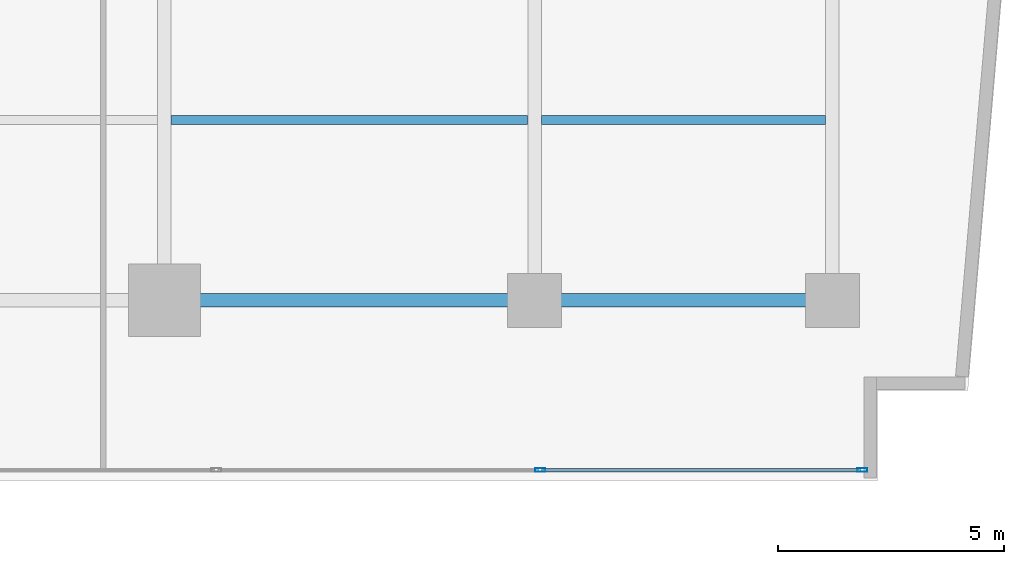
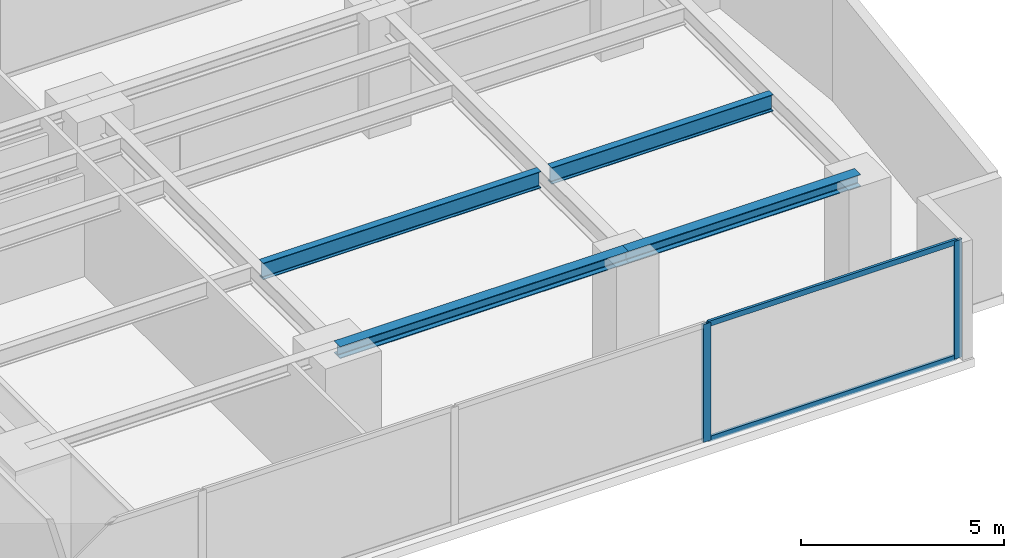
# One storey, part 11 of 27: 4 beams, 4 members, 1 element without a shape of its own.
"""IFC4 building model written with IfcOpenShell, lengths in metres."""

import ifcopenshell
import ifcopenshell.guid

model = None  # the IFC model being written
_history = None  # IfcOwnerHistory: only IFC2X3 demands one
_inside = {}  # id of a spatial element -> (the spatial element, [elements in it])
_under = {}  # id of a project, library or spatial element -> (it, [spatial elements below it])
_declared = {}  # id of a project -> (the project, [libraries it declares])
_typed = {}  # id of a type object -> (the type object, [elements of that type])
_made_of = {}  # id of a material, layer set ... -> (it, [elements and type objects made of it])


def new_model(schema):
    """Start an empty IFC model of exactly this schema.

    Asked for "IFC4X3", IfcOpenShell would pick the latest addendum, in which some entities
    have other attributes; the version numbers below select the first issue.
    IFC2X3 requires an IfcOwnerHistory on every rooted entity: one is made here for all.
    """
    global model, _history
    if schema == "IFC4X3":
        model = ifcopenshell.file(schema_version=(4, 3, 0, 0))
    else:
        model = ifcopenshell.file(schema=schema)
    _inside.clear()
    _under.clear()
    _declared.clear()
    _typed.clear()
    _made_of.clear()
    _history = None
    if model.schema == "IFC2X3":
        org = make("IfcOrganization", Name="unknown")
        user = make(
            "IfcPersonAndOrganization",
            ThePerson=make("IfcPerson", FamilyName="unknown"),
            TheOrganization=org,
        )
        app = make(
            "IfcApplication",
            ApplicationDeveloper=org,
            Version="unknown",
            ApplicationFullName="unknown",
            ApplicationIdentifier="unknown",
        )
        _history = make(
            "IfcOwnerHistory",
            OwningUser=user,
            OwningApplication=app,
            ChangeAction="ADDED",
            CreationDate=0,
        )
    return model


def make(cls, **values):
    """One entity of the class cls with the attributes given. An attribute that is None is left unset."""
    return model.create_entity(
        cls, **{name: value for name, value in values.items() if value is not None}
    )


def rooted(cls, **values):
    """An entity with a GlobalId (a new one), such as an element, a storey or a relation."""
    return make(cls, GlobalId=ifcopenshell.guid.new(), OwnerHistory=_history, **values)


def si_unit(unit_type, name, prefix=None):
    """IfcSIUnit, for example si_unit("LENGTHUNIT", "METRE", prefix="MILLI")."""
    return make("IfcSIUnit", UnitType=unit_type, Prefix=prefix, Name=name)


def assignment(units):
    """IfcUnitAssignment: the units of a project."""
    return None if units is None else make("IfcUnitAssignment", Units=units)


def point(xyz):
    """IfcCartesianPoint."""
    return None if xyz is None else make("IfcCartesianPoint", Coordinates=xyz)


def direction(xyz):
    """IfcDirection."""
    return None if xyz is None else make("IfcDirection", DirectionRatios=xyz)


def frame(location, z_axis=None, x_axis=None):
    """IfcAxis2Placement3D, a coordinate frame: its origin and axes. An axis left out is left unset."""
    return make(
        "IfcAxis2Placement3D",
        Location=point(location),
        Axis=direction(z_axis),
        RefDirection=direction(x_axis),
    )


def frame_2d(location, x_axis=None):
    """IfcAxis2Placement2D, a coordinate frame in the plane: its origin and x axis."""
    return make(
        "IfcAxis2Placement2D", Location=point(location), RefDirection=direction(x_axis)
    )


def origin():
    """The frame at (0, 0, 0) with its axes left unset."""
    return frame((0.0, 0.0, 0.0))


def origin_with_axes():
    """The frame at (0, 0, 0) with the z axis (0, 0, 1) and the x axis (1, 0, 0) written out."""
    return frame((0.0, 0.0, 0.0), z_axis=(0.0, 0.0, 1.0), x_axis=(1.0, 0.0, 0.0))


def origin_2d():
    """The frame at (0, 0) in the plane with its x axis left unset."""
    return frame_2d((0.0, 0.0))


def place(relative_to, where):
    """IfcLocalPlacement: puts the frame where relative to a parent placement (None: the world)."""
    return make(
        "IfcLocalPlacement", PlacementRelTo=relative_to, RelativePlacement=where
    )


def context(
    kind, dimensions, precision=None, world=None, true_north=None, identifier=None
):
    """IfcGeometricRepresentationContext, for example the 3D "Model" context."""
    return make(
        "IfcGeometricRepresentationContext",
        ContextIdentifier=identifier,
        ContextType=kind,
        CoordinateSpaceDimension=dimensions,
        Precision=precision,
        WorldCoordinateSystem=world,
        TrueNorth=true_north,
    )


def subcontext(parent, identifier, kind, view, scale=None):
    """IfcGeometricRepresentationSubContext, for example "Body" below "Model"."""
    return make(
        "IfcGeometricRepresentationSubContext",
        ContextIdentifier=identifier,
        ContextType=kind,
        ParentContext=parent,
        TargetScale=scale,
        TargetView=view,
    )


def project(units=None, contexts=None):
    """IfcProject with its units and contexts."""
    return rooted(
        "IfcProject",
        Name="project",
        RepresentationContexts=contexts,
        UnitsInContext=assignment(units),
    )


def spatial(cls, under=None, at=None, **own):
    """A site, building, storey or space (cls), placed at a placement, below another one or the project."""
    s = rooted(cls, ObjectPlacement=at, **own)
    if under is not None:
        _under.setdefault(under.id(), (under, []))[1].append(s)
    return s


def profile(cls, at=None, kind="AREA", **sizes):
    """A parametric profile (cls). Its sizes go by their IFC names, for example OverallWidth=200.0."""
    return make(cls, ProfileType=kind, Position=at, **sizes)


def hollow_rectangle(**sizes):
    """IfcRectangleHollowProfileDef."""
    return profile("IfcRectangleHollowProfileDef", **sizes)


def i_section(**sizes):
    """IfcIShapeProfileDef."""
    return profile("IfcIShapeProfileDef", **sizes)


def extrude(swept, where, along, depth):
    """IfcExtrudedAreaSolid: the profile swept, set in the frame where, extruded along a direction by depth."""
    return make(
        "IfcExtrudedAreaSolid",
        SweptArea=swept,
        Position=where,
        ExtrudedDirection=direction(along),
        Depth=depth,
    )


def shape(context_of_items, identifier, shape_type, items):
    """IfcShapeRepresentation: the items that make up one representation, for example the "Body"."""
    return make(
        "IfcShapeRepresentation",
        ContextOfItems=context_of_items,
        RepresentationIdentifier=identifier,
        RepresentationType=shape_type,
        Items=items,
    )


def source(mapping_origin, context_of_items, identifier, shape_type, items):
    """IfcRepresentationMap: a shape defined once, which mapped items show again and again."""
    return make(
        "IfcRepresentationMap",
        MappingOrigin=mapping_origin,
        MappedRepresentation=shape(context_of_items, identifier, shape_type, items),
    )


def transform(
    local_origin,
    x_axis=None,
    y_axis=None,
    z_axis=None,
    scale=None,
    scale2=None,
    scale3=None,
    uniform=True,
):
    """IfcCartesianTransformationOperator3D, or its non-uniform kind. x_axis, y_axis, z_axis: its Axis1, 2, 3."""
    if uniform:
        return make(
            "IfcCartesianTransformationOperator3D",
            Axis1=direction(x_axis),
            Axis2=direction(y_axis),
            LocalOrigin=point(local_origin),
            Scale=scale,
            Axis3=direction(z_axis),
        )
    return make(
        "IfcCartesianTransformationOperator3DnonUniform",
        Axis1=direction(x_axis),
        Axis2=direction(y_axis),
        LocalOrigin=point(local_origin),
        Scale=scale,
        Axis3=direction(z_axis),
        Scale2=scale2,
        Scale3=scale3,
    )


def mapped(mapping_source, mapping_target):
    """IfcMappedItem: shows the shape of a source again, moved by a transform."""
    return make(
        "IfcMappedItem", MappingSource=mapping_source, MappingTarget=mapping_target
    )


def material(Name=None, Category=None):
    """IfcMaterial."""
    return make("IfcMaterial", Name=Name, Category=Category)


def layer(
    of_material, thickness, ventilated=None, Name=None, Category=None, Priority=None
):
    """IfcMaterialLayer: one layer of a wall or slab, of a material (None: an air gap)."""
    return make(
        "IfcMaterialLayer",
        Material=of_material,
        LayerThickness=thickness,
        IsVentilated=ventilated,
        Name=Name,
        Category=Category,
        Priority=Priority,
    )


def layer_set(layers, Name=None):
    """IfcMaterialLayerSet."""
    return make("IfcMaterialLayerSet", MaterialLayers=layers, LayerSetName=Name)


def material_profile(
    of_material, cross_section, Name=None, Category=None, Priority=None
):
    """IfcMaterialProfile: a cross section and its material."""
    return make(
        "IfcMaterialProfile",
        Name=Name,
        Material=of_material,
        Profile=cross_section,
        Priority=Priority,
        Category=Category,
    )


def profile_set(profiles, Name=None, composite=None):
    """IfcMaterialProfileSet."""
    return make(
        "IfcMaterialProfileSet",
        Name=Name,
        MaterialProfiles=profiles,
        CompositeProfile=composite,
    )


def made_of(thing, what):
    """Note that an element or type object is made of a material, layer set ...; save() writes the relation."""
    if what is not None:
        _made_of.setdefault(what.id(), (what, []))[1].append(thing)
    return thing


def type_object(cls, material=None, **own):
    """A type object (cls), such as IfcWallType, which elements share."""
    return made_of(rooted(cls, **own), material)


def element(
    cls,
    number,
    at=None,
    inside=None,
    cuts=None,
    type_object=None,
    material=None,
    context=None,
    identifier="Body",
    shape_type=None,
    held_by="IfcProductDefinitionShape",
    body=None,
    shapes=None,
    **own,
):
    """One element of the class cls, such as IfcWall. Its Tag is "e" and its number.

    at: its placement. inside: the storey or other place that contains it. cuts: it is an
    opening in that element (IfcRelVoidsElement). A single representation is given by context,
    identifier, shape_type and body (its items); several are given by shapes. held_by: the class
    of the entity that holds the representations. save() writes the other relations.
    """
    e = rooted(cls, Tag="e%d" % number, ObjectPlacement=at, **own)
    if body is not None:
        shapes = [shape(context, identifier, shape_type, body)]
    if shapes is not None:
        e.Representation = make(held_by, Representations=shapes)
    if inside is not None:
        _inside.setdefault(inside.id(), (inside, []))[1].append(e)
    if cuts is not None:
        rooted(
            "IfcRelVoidsElement", RelatingBuildingElement=cuts, RelatedOpeningElement=e
        )
    if type_object is not None:
        _typed.setdefault(type_object.id(), (type_object, []))[1].append(e)
    return made_of(e, material)


def aggregate(whole, parts):
    """IfcRelAggregates: a whole, such as a stair, and the parts it consists of."""
    return rooted("IfcRelAggregates", RelatingObject=whole, RelatedObjects=parts)


def save(model, path):
    """Write the relations noted so far, then the file.

    IfcRelAggregates (storeys below a building ...), IfcRelContainedInSpatialStructure (elements
    in a storey), IfcRelDefinesByType, IfcRelAssociatesMaterial and IfcRelDeclares: one each for
    every whole, place, type object, material and project.
    """
    for whole, parts in _under.values():
        aggregate(whole, parts)
    for where, things in _inside.values():
        rooted(
            "IfcRelContainedInSpatialStructure",
            RelatedElements=things,
            RelatingStructure=where,
        )
    for kind, things in _typed.values():
        rooted("IfcRelDefinesByType", RelatedObjects=things, RelatingType=kind)
    for what, things in _made_of.values():
        rooted("IfcRelAssociatesMaterial", RelatedObjects=things, RelatingMaterial=what)
    for by, libraries in _declared.values():
        rooted("IfcRelDeclares", RelatingContext=by, RelatedDefinitions=libraries)
    model.write(path)


model = new_model("IFC4")

# Units and contexts
model_context = context("Model", 3, precision=1e-05, world=origin(), true_north=direction((0.0, 1.0)))
body_context = subcontext(model_context, "Body", "Model", "MODEL_VIEW")
ifc_project = project(units=[si_unit("LENGTHUNIT", "METRE"), si_unit("AREAUNIT", "SQUARE_METRE"), si_unit("VOLUMEUNIT", "CUBIC_METRE"), si_unit("PLANEANGLEUNIT", "RADIAN"), si_unit("MASSUNIT", "GRAM", prefix="KILO")], contexts=[model_context])

# Site, building, storey
site_placement = place(None, origin())
site = spatial("IfcSite", under=ifc_project, at=site_placement, CompositionType="ELEMENT")
building_placement = place(site_placement, origin())
building = spatial("IfcBuilding", under=site, at=building_placement, Name="Kolvaren Waterfront Exchange", CompositionType="ELEMENT")
storey_placement = place(building_placement, frame((0.0, 0.0, 33.39990234375)))
storey = spatial("IfcBuildingStorey", under=building, at=storey_placement, Name="L08", CompositionType="ELEMENT", Elevation=33.39990234375)

# Beams
ifc_material_1 = material(Name="Steel S355", Category="steel")
ifc_material_profile_1 = material_profile(ifc_material_1, i_section(OverallWidth=0.300048828125, OverallDepth=0.360107421875, WebThickness=0.012451171875, FlangeThickness=0.0224609375, FilletRadius=0.027099609375, at=origin_2d()), Name="HEB360")
ifc_profile_set_1 = profile_set([ifc_material_profile_1], Name="Steel S355")
beam_type_1 = type_object("IfcBeamType", Name="STR-BM-HEB360", PredefinedType="SPANDREL", material=ifc_profile_set_1)
beam_1_placement = place(storey_placement, frame((45.60009765625, 5.199951171875, 3.360107421875), z_axis=(1.0, 0.0, 0.0), x_axis=(0.0, 1.0, 0.0)))
element("IfcBeam", 1, at=beam_1_placement, inside=storey, type_object=beam_type_1, Name="L08 east-arm spandrel S4", PredefinedType="SPANDREL", context=body_context, shape_type="SweptSolid", body=[
    extrude(i_section(OverallWidth=0.300048828125, OverallDepth=0.360107421875, WebThickness=0.012451171875, FlangeThickness=0.0224609375, FilletRadius=0.027099609375, at=origin_2d()), origin(), (0.0, 0.0, 1.0), 8.199951171875),
])
beam_2_placement = place(storey_placement, frame((53.800048828125, 5.199951171875, 3.360107421875), z_axis=(1.0, 0.0, 0.0), x_axis=(0.0, 1.0, 0.0)))
element("IfcBeam", 2, at=beam_2_placement, inside=storey, type_object=beam_type_1, Name="L08 east-arm spandrel S5", PredefinedType="SPANDREL", context=body_context, shape_type="SweptSolid", body=[
    extrude(i_section(OverallWidth=0.300048828125, OverallDepth=0.360107421875, WebThickness=0.012451171875, FlangeThickness=0.0224609375, FilletRadius=0.027099609375, at=origin_2d()), origin(), (0.0, 0.0, 1.0), 6.599853515625),
])
ifc_material_profile_2 = material_profile(ifc_material_1, i_section(OverallWidth=0.199951171875, OverallDepth=0.5, WebThickness=0.01025390625, FlangeThickness=0.01611328125, FilletRadius=0.02099609375, at=origin_2d()), Name="IPE500")
ifc_profile_set_2 = profile_set([ifc_material_profile_2], Name="Steel S355")
beam_type_2 = type_object("IfcBeamType", Name="STR-BM-IPE500", PredefinedType="JOIST", material=ifc_profile_set_2)
beam_3_placement = place(storey_placement, frame((45.751953125, 9.199951171875, 3.2900390625), z_axis=(1.0, 0.0, 0.0), x_axis=(0.0, 1.0, 0.0)))
element("IfcBeam", 3, at=beam_3_placement, inside=storey, type_object=beam_type_2, Name="L08 east-arm composite joist 4B", PredefinedType="JOIST", context=body_context, shape_type="SweptSolid", body=[
    extrude(i_section(OverallWidth=0.199951171875, OverallDepth=0.5, WebThickness=0.01025390625, FlangeThickness=0.01611328125, FilletRadius=0.02099609375, at=origin_2d()), origin(), (0.0, 0.0, 1.0), 7.89599609375),
])
beam_4_placement = place(storey_placement, frame((53.951904296875, 9.199951171875, 3.2900390625), z_axis=(1.0, 0.0, 0.0), x_axis=(0.0, 1.0, 0.0)))
element("IfcBeam", 4, at=beam_4_placement, inside=storey, type_object=beam_type_2, Name="L08 east-arm composite joist 5B", PredefinedType="JOIST", context=body_context, shape_type="SweptSolid", body=[
    extrude(i_section(OverallWidth=0.199951171875, OverallDepth=0.5, WebThickness=0.01025390625, FlangeThickness=0.01611328125, FilletRadius=0.02099609375, at=origin_2d()), origin(), (0.0, 0.0, 1.0), 6.296142578125),
])

# Curtain wall, members
ifc_material_2 = material(Name="Anodised bronze aluminium 6063-T6", Category="aluminium")
ifc_layer = layer(ifc_material_2, 0.219970703125, Name="Anodised bronze aluminium 6063-T6")
ifc_layer_set = layer_set([ifc_layer], Name="Anodised bronze aluminium 6063-T6")
curtain_wall_type = type_object("IfcCurtainWallType", Name="ARC-CW-SYS1", PredefinedType="USERDEFINED", material=ifc_layer_set)
curtain_wall_placement = place(storey_placement, origin())
curtain_wall = element("IfcCurtainWall", 5, at=curtain_wall_placement, inside=storey, type_object=curtain_wall_type, Name="L08 stick curtain wall CW1 (CW-L08-S)", ObjectType="STICK CURTAIN WALL", PredefinedType="USERDEFINED")
ifc_material_3 = material(Name="Anodised aluminium 6063-T6", Category="aluminium")
ifc_material_profile_3 = material_profile(ifc_material_3, hollow_rectangle(XDim=0.074951171875, YDim=0.159912109375, WallThickness=0.00439453125, at=origin_2d()), Name="ALU-TRN-160x75x4.5")
ifc_profile_set_3 = profile_set([ifc_material_profile_3], Name="Anodised aluminium 6063-T6")
member_type_1 = type_object("IfcMemberType", Name="ARC-CWT-160", PredefinedType="USERDEFINED", material=ifc_profile_set_3)
shared_shape_1 = source(origin_with_axes(), body_context, "Body", "SweptSolid", [
    extrude(hollow_rectangle(XDim=0.074951171875, YDim=0.159912109375, WallThickness=0.00439453125, at=origin_2d()), origin(), (0.0, 0.0, 1.0), 7.054931640625),
])
member_1_placement = place(storey_placement, frame((53.965087890625, 1.43994140625, 0.03759765625), z_axis=(1.0, 0.0, 0.0), x_axis=(0.0, 1.0, 0.0)))
member_1 = element("IfcMember", 6, at=member_1_placement, type_object=member_type_1, Name="CW1 transom 8.1", ObjectType="TRANSOM", PredefinedType="USERDEFINED", context=body_context, shape_type="MappedRepresentation", body=[
    mapped(shared_shape_1, transform((0.0, 0.0, 0.0), x_axis=(1.0, 0.0, 0.0), y_axis=(0.0, 1.0, 0.0), z_axis=(0.0, 0.0, 1.0), scale=1.0)),
])
member_2_placement = place(storey_placement, frame((53.965087890625, 1.43994140625, 3.502685546875), z_axis=(1.0, 0.0, 0.0), x_axis=(0.0, 1.0, 0.0)))
member_2 = element("IfcMember", 7, at=member_2_placement, type_object=member_type_1, Name="CW1 transom 8.2", ObjectType="TRANSOM", PredefinedType="USERDEFINED", context=body_context, shape_type="MappedRepresentation", body=[
    mapped(shared_shape_1, transform((0.0, 0.0, 0.0), x_axis=(1.0, 0.0, 0.0), y_axis=(0.0, 1.0, 0.0), z_axis=(0.0, 0.0, 1.0), scale=1.0)),
])
ifc_material_profile_4 = material_profile(ifc_material_3, hollow_rectangle(XDim=0.080078125, YDim=0.219970703125, WallThickness=0.0048828125, at=origin_2d()), Name="ALU-MUL-220x80x5")
ifc_profile_set_4 = profile_set([ifc_material_profile_4], Name="Anodised aluminium 6063-T6")
member_type_2 = type_object("IfcMemberType", Name="ARC-CWM-220", PredefinedType="MULLION", material=ifc_profile_set_4)
shared_shape_2 = source(origin_with_axes(), body_context, "Body", "SweptSolid", [
    extrude(hollow_rectangle(XDim=0.080078125, YDim=0.219970703125, WallThickness=0.0048828125, at=origin_2d()), origin(), (0.0, 0.0, 1.0), 3.5400390625),
])
member_3_placement = place(storey_placement, frame((53.925048828125, 1.43994140625, 0.0), z_axis=(0.0, 0.0, 1.0), x_axis=(0.0, 1.0, 0.0)))
member_3 = element("IfcMember", 8, at=member_3_placement, type_object=member_type_2, Name="CW1 mullion 8", PredefinedType="MULLION", context=body_context, shape_type="MappedRepresentation", body=[
    mapped(shared_shape_2, transform((0.0, 0.0, 0.0), x_axis=(1.0, 0.0, 0.0), y_axis=(0.0, 1.0, 0.0), z_axis=(0.0, 0.0, 1.0), scale=1.0)),
])
member_4_placement = place(storey_placement, frame((61.06005859375, 1.43994140625, 0.0), z_axis=(0.0, 0.0, 1.0), x_axis=(0.0, 1.0, 0.0)))
member_4 = element("IfcMember", 9, at=member_4_placement, type_object=member_type_2, Name="CW1 mullion 9", PredefinedType="MULLION", context=body_context, shape_type="MappedRepresentation", body=[
    mapped(shared_shape_2, transform((0.0, 0.0, 0.0), x_axis=(1.0, 0.0, 0.0), y_axis=(0.0, 1.0, 0.0), z_axis=(0.0, 0.0, 1.0), scale=1.0)),
])
aggregate(curtain_wall, [member_3, member_4, member_1, member_2])

save(model, "model.ifc")
